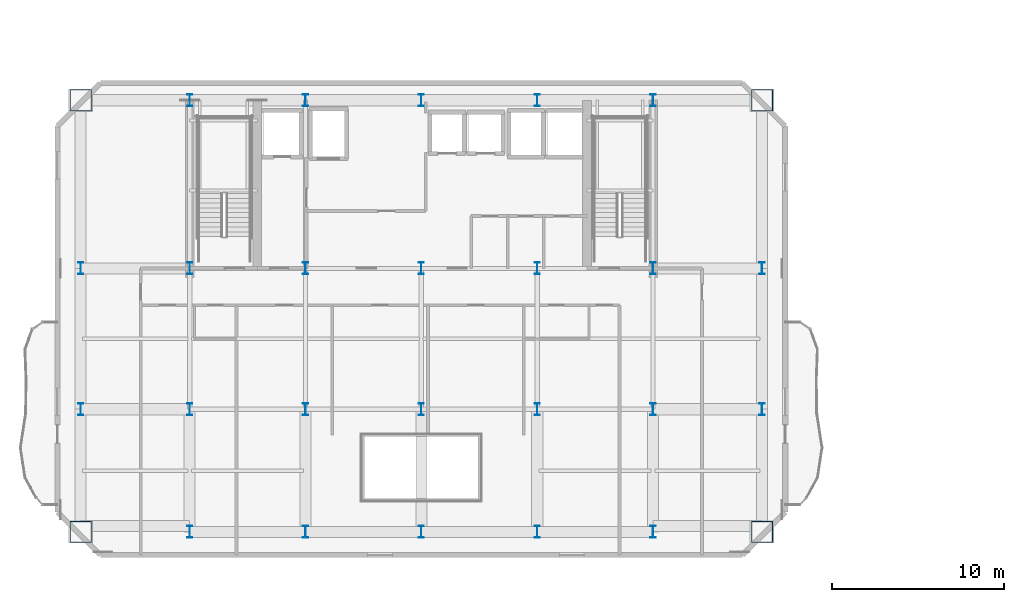
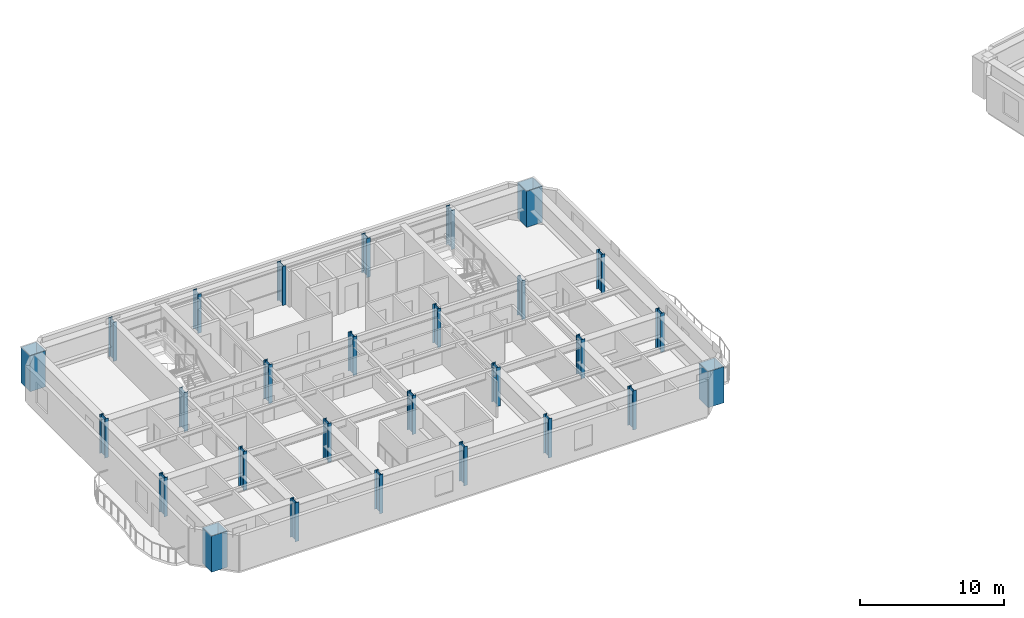
# One storey, part 1 of 15: 28 columns.
"""IFC4 building model written with IfcOpenShell, lengths in metres."""

from ifc_helpers import new_model, si_unit, direction, frame, origin, origin_2d, place, context, subcontext, project, spatial, hollow_rectangle, i_section, extrude, material, material_profile, profile_set, type_object, element, save


model = new_model("IFC4")

# Units and contexts
model_context = context("Model", 3, precision=1e-05, world=origin(), true_north=direction((0.0, 1.0)))
body_context = subcontext(model_context, "Body", "Model", "MODEL_VIEW")
ifc_project = project(units=[si_unit("LENGTHUNIT", "METRE"), si_unit("AREAUNIT", "SQUARE_METRE"), si_unit("VOLUMEUNIT", "CUBIC_METRE"), si_unit("PLANEANGLEUNIT", "RADIAN"), si_unit("MASSUNIT", "GRAM", prefix="KILO")], contexts=[model_context])

# Site, building, storey
site_placement = place(None, origin())
site = spatial("IfcSite", under=ifc_project, at=site_placement, CompositionType="ELEMENT")
building_placement = place(site_placement, origin())
building = spatial("IfcBuilding", under=site, at=building_placement, Name="Haevon Station Towers", CompositionType="ELEMENT")
storey_placement = place(building_placement, frame((0.0, 0.0, 152.699951171875)))
storey = spatial("IfcBuildingStorey", under=building, at=storey_placement, Name="L41", CompositionType="ELEMENT", Elevation=152.699951171875)

# Columns
ifc_material_1 = material(Name="Steel S460", Category="steel")
ifc_material_profile_1 = material_profile(ifc_material_1, hollow_rectangle(XDim=1.25, YDim=1.25, WallThickness=0.034912109375, at=origin_2d()), Name="BOX-1250x1250x35")
ifc_profile_set_1 = profile_set([ifc_material_profile_1], Name="Steel S460")
column_type_1 = type_object("IfcColumnType", Name="COL-MC4", PredefinedType="COLUMN", material=ifc_profile_set_1)
for number, where, z_axis, x_axis, name in (
    (1, (17.64990234375, 22.85009765625, 0.0), (0.0, 0.0, 1.0), (1.0, 0.0, 0.0), "COL-T1-L41-01-01"),
    (2, (17.64990234375, 48.0, 0.0), (0.0, 0.0, 1.0), (1.0, 0.0, 0.0), "COL-T1-L41-01-04"),
    (3, (57.35009765625, 22.85009765625, 0.0), (0.0, 0.0, 1.0), (1.0, 0.0, 0.0), "COL-T1-L41-07-01"),
    (4, (57.35009765625, 48.0, 0.0), (0.0, 0.0, 1.0), (1.0, 0.0, 0.0), "COL-T1-L41-07-04"),
):
    element("IfcColumn", number, at=place(storey_placement, frame(where, z_axis=z_axis, x_axis=x_axis)), inside=storey, type_object=column_type_1, Name=name, PredefinedType="COLUMN", context=body_context, shape_type="SweptSolid", body=[
        extrude(hollow_rectangle(XDim=1.25, YDim=1.25, WallThickness=0.034912109375, at=origin_2d()), origin(), (0.0, 0.0, 1.0), 3.050048828125),
    ])
ifc_material_2 = material(Name="Steel S355", Category="steel")
ifc_material_profile_2 = material_profile(ifc_material_2, i_section(OverallWidth=0.300048828125, OverallDepth=0.699951171875, WebThickness=0.01611328125, FlangeThickness=0.028076171875, at=origin_2d()), Name="H-700x300x16x28")
ifc_profile_set_2 = profile_set([ifc_material_profile_2], Name="Steel S355")
column_type_2 = type_object("IfcColumnType", Name="COL-TW3", PredefinedType="COLUMN", material=ifc_profile_set_2)
for number, where, z_axis, x_axis, name in (
    (5, (17.64990234375, 30.0, 0.0), (0.0, 0.0, 1.0), (1.0, 0.0, 0.0), "COL-T1-L41-01-02"),
    (6, (17.64990234375, 38.199951171875, 0.0), (0.0, 0.0, 1.0), (1.0, 0.0, 0.0), "COL-T1-L41-01-03"),
    (7, (24.0, 22.85009765625, 0.0), (0.0, 0.0, 1.0), (1.0, 0.0, 0.0), "COL-T1-L41-02-01"),
    (8, (24.0, 30.0, 0.0), (0.0, 0.0, 1.0), (1.0, 0.0, 0.0), "COL-T1-L41-02-02"),
    (9, (24.0, 38.199951171875, 0.0), (0.0, 0.0, 1.0), (1.0, 0.0, 0.0), "COL-T1-L41-02-03"),
    (10, (24.0, 48.0, 0.0), (0.0, 0.0, 1.0), (1.0, 0.0, 0.0), "COL-T1-L41-02-04"),
    (11, (30.75, 22.85009765625, 0.0), (0.0, 0.0, 1.0), (1.0, 0.0, 0.0), "COL-T1-L41-03-01"),
    (12, (30.75, 30.0, 0.0), (0.0, 0.0, 1.0), (1.0, 0.0, 0.0), "COL-T1-L41-03-02"),
    (13, (30.75, 38.199951171875, 0.0), (0.0, 0.0, 1.0), (1.0, 0.0, 0.0), "COL-T1-L41-03-03"),
    (14, (30.75, 48.0, 0.0), (0.0, 0.0, 1.0), (1.0, 0.0, 0.0), "COL-T1-L41-03-04"),
    (15, (37.5, 22.85009765625, 0.0), (0.0, 0.0, 1.0), (1.0, 0.0, 0.0), "COL-T1-L41-04-01"),
    (16, (37.5, 30.0, 0.0), (0.0, 0.0, 1.0), (1.0, 0.0, 0.0), "COL-T1-L41-04-02"),
    (17, (37.5, 38.199951171875, 0.0), (0.0, 0.0, 1.0), (1.0, 0.0, 0.0), "COL-T1-L41-04-03"),
    (18, (37.5, 48.0, 0.0), (0.0, 0.0, 1.0), (1.0, 0.0, 0.0), "COL-T1-L41-04-04"),
    (19, (44.25, 22.85009765625, 0.0), (0.0, 0.0, 1.0), (1.0, 0.0, 0.0), "COL-T1-L41-05-01"),
    (20, (44.25, 30.0, 0.0), (0.0, 0.0, 1.0), (1.0, 0.0, 0.0), "COL-T1-L41-05-02"),
    (21, (44.25, 38.199951171875, 0.0), (0.0, 0.0, 1.0), (1.0, 0.0, 0.0), "COL-T1-L41-05-03"),
    (22, (44.25, 48.0, 0.0), (0.0, 0.0, 1.0), (1.0, 0.0, 0.0), "COL-T1-L41-05-04"),
    (23, (51.0, 22.85009765625, 0.0), (0.0, 0.0, 1.0), (1.0, 0.0, 0.0), "COL-T1-L41-06-01"),
    (24, (51.0, 30.0, 0.0), (0.0, 0.0, 1.0), (1.0, 0.0, 0.0), "COL-T1-L41-06-02"),
    (25, (51.0, 38.199951171875, 0.0), (0.0, 0.0, 1.0), (1.0, 0.0, 0.0), "COL-T1-L41-06-03"),
    (26, (51.0, 48.0, 0.0), (0.0, 0.0, 1.0), (1.0, 0.0, 0.0), "COL-T1-L41-06-04"),
    (27, (57.35009765625, 30.0, 0.0), (0.0, 0.0, 1.0), (1.0, 0.0, 0.0), "COL-T1-L41-07-02"),
    (28, (57.35009765625, 38.199951171875, 0.0), (0.0, 0.0, 1.0), (1.0, 0.0, 0.0), "COL-T1-L41-07-03"),
):
    element("IfcColumn", number, at=place(storey_placement, frame(where, z_axis=z_axis, x_axis=x_axis)), inside=storey, type_object=column_type_2, Name=name, PredefinedType="COLUMN", context=body_context, shape_type="SweptSolid", body=[
        extrude(i_section(OverallWidth=0.300048828125, OverallDepth=0.699951171875, WebThickness=0.01611328125, FlangeThickness=0.028076171875, at=origin_2d()), origin(), (0.0, 0.0, 1.0), 3.300048828125),
    ])

save(model, "model.ifc")
